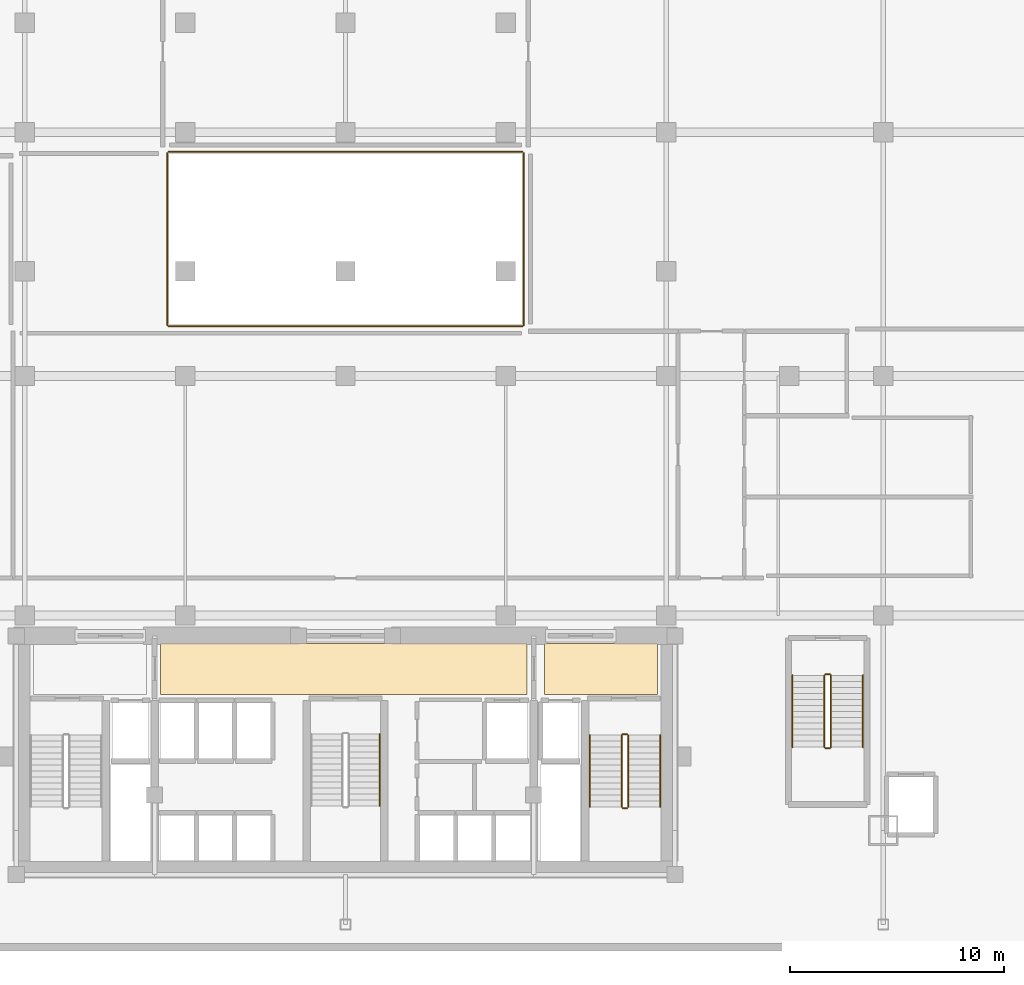
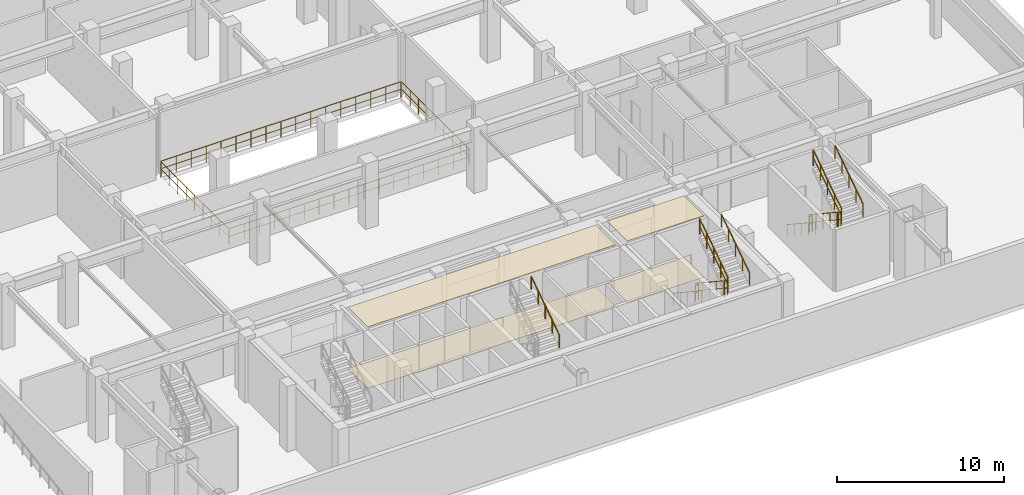
# One storey, part 16 of 16: 17 railings, 4 coverings.
"""IFC4 building model written with IfcOpenShell, lengths in metres."""

from ifc_helpers import new_model, si_unit, direction, frame, origin, origin_2d, place, context, subcontext, project, spatial, polyline, circle, outline, extrude, material, layer, layer_set, type_object, element, save


model = new_model("IFC4")

# Units and contexts
model_context = context("Model", 3, precision=1e-05, world=origin(), true_north=direction((0.0, 1.0)))
body_context = subcontext(model_context, "Body", "Model", "MODEL_VIEW")
ifc_project = project(units=[si_unit("LENGTHUNIT", "METRE"), si_unit("AREAUNIT", "SQUARE_METRE"), si_unit("VOLUMEUNIT", "CUBIC_METRE"), si_unit("PLANEANGLEUNIT", "RADIAN"), si_unit("MASSUNIT", "GRAM", prefix="KILO")], contexts=[model_context])

# Site, building, storey
site_placement = place(None, origin())
site = spatial("IfcSite", under=ifc_project, at=site_placement, CompositionType="ELEMENT")
building_placement = place(site_placement, origin())
building = spatial("IfcBuilding", under=site, at=building_placement, Name="Ventersveld Concourse Tower", CompositionType="ELEMENT")
storey_placement = place(building_placement, frame((0.0, 0.0, 10.199951171875)))
storey = spatial("IfcBuildingStorey", under=building, at=storey_placement, Name="L02", CompositionType="ELEMENT", Elevation=10.199951171875)

# Coverings
ifc_material_1 = material(Name="Mineral-fibre acoustic ceiling tile", Category="gypsum")
ifc_layer_1 = layer(ifc_material_1, 0.0400390625)
ifc_layer_set_1 = layer_set([ifc_layer_1], Name="Mineral-fibre acoustic ceiling tile")
covering_type_1 = type_object("IfcCoveringType", Name="COV-CEIL-ACOUSTIC", PredefinedType="CEILING", material=ifc_layer_set_1)
covering_1_placement = place(storey_placement, frame((0.0, 0.0, 4.47998046875)))
element("IfcCovering", 1, at=covering_1_placement, inside=storey, type_object=covering_type_1, Name="L02 North Lift Lobby Acoustic Ceiling", PredefinedType="CEILING", context=body_context, shape_type="SweptSolid", body=[
    extrude(outline(polyline([(20.10009765625, 8.699951171875), (37.25, 8.699951171875), (37.25, 11.10009765625), (20.10009765625, 11.10009765625), (20.10009765625, 8.699951171875)])), origin(), (0.0, 0.0, 1.0), 0.0400390625),
])
covering_2_placement = place(storey_placement, frame((0.0, 0.0, 4.47998046875)))
element("IfcCovering", 2, at=covering_2_placement, inside=storey, type_object=covering_type_1, Name="L02 East Firefighting Lobby Acoustic Ceiling", PredefinedType="CEILING", context=body_context, shape_type="SweptSolid", body=[
    extrude(outline(polyline([(38.050048828125, 8.699951171875), (43.35009765625, 8.699951171875), (43.35009765625, 11.10009765625), (38.050048828125, 11.10009765625), (38.050048828125, 8.699951171875)])), origin(), (0.0, 0.0, 1.0), 0.0400390625),
])
ifc_material_2 = material(Name="Polished Highveld granite terrazzo", Category="masonry")
ifc_layer_2 = layer(ifc_material_2, 0.02001953125)
ifc_layer_set_2 = layer_set([ifc_layer_2], Name="Polished Highveld granite terrazzo")
covering_type_2 = type_object("IfcCoveringType", Name="COV-FLOOR-TERRAZZO", PredefinedType="FLOORING", material=ifc_layer_set_2)
covering_3_placement = place(storey_placement, origin())
element("IfcCovering", 3, at=covering_3_placement, inside=storey, type_object=covering_type_2, Name="L02 North Lift Lobby Terrazzo Flooring", PredefinedType="FLOORING", context=body_context, shape_type="SweptSolid", body=[
    extrude(outline(polyline([(20.10009765625, 8.699951171875), (37.25, 8.699951171875), (37.25, 11.10009765625), (20.10009765625, 11.10009765625), (20.10009765625, 8.699951171875)])), origin(), (0.0, 0.0, 1.0), 0.02001953125),
])
covering_4_placement = place(storey_placement, origin())
element("IfcCovering", 4, at=covering_4_placement, inside=storey, type_object=covering_type_2, Name="L02 East Firefighting Lobby Terrazzo Flooring", PredefinedType="FLOORING", context=body_context, shape_type="SweptSolid", body=[
    extrude(outline(polyline([(38.050048828125, 8.699951171875), (43.35009765625, 8.699951171875), (43.35009765625, 11.10009765625), (38.050048828125, 11.10009765625), (38.050048828125, 8.699951171875)])), origin(), (0.0, 0.0, 1.0), 0.02001953125),
])

# Railings
ifc_material_3 = material(Name="Brushed stainless steel 316", Category="steel")
railing_type_1 = type_object("IfcRailingType", Name="GD-BAL-115", PredefinedType="GUARDRAIL", material=ifc_material_3)
railing_1_placement = place(storey_placement, frame((41.669921875, 6.800048828125, 0.1845703125)))
element("IfcRailing", 5, at=railing_1_placement, inside=storey, type_object=railing_type_1, Name="L02 ST-02 stair guard 1", PredefinedType="GUARDRAIL", context=body_context, shape_type="SweptSolid", body=[
    extrude(circle(Radius=0.02392578125, at=origin_2d()), frame((0.0, 0.0, 1.1259765625), z_axis=(0.0, -0.834848600103, 0.550479622607), x_axis=(1.0, 0.0, 0.0)), (0.0, 0.0, 1.0), 4.02490234375),
    extrude(circle(Radius=0.01611328125, at=origin_2d()), frame((0.0, 0.0, 0.574951171875), z_axis=(0.0, -0.834848600103, 0.550479622607), x_axis=(1.0, 0.0, 0.0)), (0.0, 0.0, 1.0), 4.02490234375),
    extrude(circle(Radius=0.02099609375, at=origin_2d()), origin(), (0.0, 0.0, 1.0), 1.101806640625),
    extrude(circle(Radius=0.02099609375, at=origin_2d()), frame((0.0, -0.840087890625, 0.553955078125)), (0.0, 0.0, 1.0), 1.101806640625),
    extrude(circle(Radius=0.02099609375, at=origin_2d()), frame((0.0, -1.68017578125, 1.10791015625)), (0.0, 0.0, 1.0), 1.101806640625),
    extrude(circle(Radius=0.02099609375, at=origin_2d()), frame((0.0, -2.52001953125, 1.66162109375)), (0.0, 0.0, 1.0), 1.101806640625),
    extrude(circle(Radius=0.02099609375, at=origin_2d()), frame((0.0, -3.360107421875, 2.215576171875)), (0.0, 0.0, 1.0), 1.101806640625),
])
railing_2_placement = place(storey_placement, frame((41.719970703125, 3.389892578125, 2.400146484375)))
element("IfcRailing", 6, at=railing_2_placement, inside=storey, type_object=railing_type_1, Name="L02 ST-02 stair guard 2", PredefinedType="GUARDRAIL", context=body_context, shape_type="SweptSolid", body=[
    extrude(circle(Radius=0.02392578125, at=origin_2d()), frame((0.0, 0.0, 1.1259765625), z_axis=(1.0, 0.0, 0.0), x_axis=(0.0, 1.0, 0.0)), (0.0, 0.0, 1.0), 0.199951171875),
    extrude(circle(Radius=0.01611328125, at=origin_2d()), frame((0.0, 0.0, 0.574951171875), z_axis=(1.0, 0.0, 0.0), x_axis=(0.0, 1.0, 0.0)), (0.0, 0.0, 1.0), 0.199951171875),
    extrude(circle(Radius=0.02099609375, at=origin_2d()), origin(), (0.0, 0.0, 1.0), 1.101806640625),
    extrude(circle(Radius=0.02099609375, at=origin_2d()), frame((0.199951171875, 0.0, 0.0)), (0.0, 0.0, 1.0), 1.101806640625),
])
railing_3_placement = place(storey_placement, frame((41.969970703125, 3.43994140625, 2.584716796875)))
element("IfcRailing", 7, at=railing_3_placement, inside=storey, type_object=railing_type_1, Name="L02 ST-02 stair guard 3", PredefinedType="GUARDRAIL", context=body_context, shape_type="SweptSolid", body=[
    extrude(circle(Radius=0.02392578125, at=origin_2d()), frame((0.0, 0.0, 1.1259765625), z_axis=(0.0, 0.834876476806, 0.550437342915), x_axis=(-1.0, 0.0, 0.0)), (0.0, 0.0, 1.0), 4.024658203125),
    extrude(circle(Radius=0.01611328125, at=origin_2d()), frame((0.0, 0.0, 0.574951171875), z_axis=(0.0, 0.834876476806, 0.550437342915), x_axis=(-1.0, 0.0, 0.0)), (0.0, 0.0, 1.0), 4.024658203125),
    extrude(circle(Radius=0.02099609375, at=origin_2d()), origin(), (0.0, 0.0, 1.0), 1.101806640625),
    extrude(circle(Radius=0.02099609375, at=origin_2d()), frame((0.0, 0.840087890625, 0.5537109375)), (0.0, 0.0, 1.0), 1.101806640625),
    extrude(circle(Radius=0.02099609375, at=origin_2d()), frame((0.0, 1.68017578125, 1.107666015625)), (0.0, 0.0, 1.0), 1.101806640625),
    extrude(circle(Radius=0.02099609375, at=origin_2d()), frame((0.0, 2.52001953125, 1.66162109375)), (0.0, 0.0, 1.0), 1.101806640625),
    extrude(circle(Radius=0.02099609375, at=origin_2d()), frame((0.0, 3.360107421875, 2.21533203125)), (0.0, 0.0, 1.0), 1.101806640625),
])
railing_4_placement = place(storey_placement, frame((41.719970703125, 6.85009765625, 0.0)))
element("IfcRailing", 8, at=railing_4_placement, inside=storey, type_object=railing_type_1, Name="L02 ST-02 stair guard 4", PredefinedType="GUARDRAIL", context=body_context, shape_type="SweptSolid", body=[
    extrude(circle(Radius=0.02392578125, at=origin_2d()), frame((0.0, 0.0, 1.1259765625), z_axis=(1.0, 0.0, 0.0), x_axis=(0.0, 1.0, 0.0)), (0.0, 0.0, 1.0), 0.199951171875),
    extrude(circle(Radius=0.01611328125, at=origin_2d()), frame((0.0, 0.0, 0.574951171875), z_axis=(1.0, 0.0, 0.0), x_axis=(0.0, 1.0, 0.0)), (0.0, 0.0, 1.0), 0.199951171875),
    extrude(circle(Radius=0.02099609375, at=origin_2d()), origin(), (0.0, 0.0, 1.0), 1.101806640625),
    extrude(circle(Radius=0.02099609375, at=origin_2d()), frame((0.199951171875, 0.0, 0.0)), (0.0, 0.0, 1.0), 1.101806640625),
])
railing_5_placement = place(storey_placement, frame((51.14990234375, 9.60009765625, 0.1845703125)))
element("IfcRailing", 9, at=railing_5_placement, inside=storey, type_object=railing_type_1, Name="L02 ST-05 stair guard 1", PredefinedType="GUARDRAIL", context=body_context, shape_type="SweptSolid", body=[
    extrude(circle(Radius=0.02392578125, at=origin_2d()), frame((0.0, 0.0, 1.1259765625), z_axis=(0.0, -0.834848600103, 0.550479622607), x_axis=(1.0, 0.0, 0.0)), (0.0, 0.0, 1.0), 4.02490234375),
    extrude(circle(Radius=0.01611328125, at=origin_2d()), frame((0.0, 0.0, 0.574951171875), z_axis=(0.0, -0.834848600103, 0.550479622607), x_axis=(1.0, 0.0, 0.0)), (0.0, 0.0, 1.0), 4.02490234375),
    extrude(circle(Radius=0.02099609375, at=origin_2d()), origin(), (0.0, 0.0, 1.0), 1.101806640625),
    extrude(circle(Radius=0.02099609375, at=origin_2d()), frame((0.0, -0.840087890625, 0.553955078125)), (0.0, 0.0, 1.0), 1.101806640625),
    extrude(circle(Radius=0.02099609375, at=origin_2d()), frame((0.0, -1.68017578125, 1.10791015625)), (0.0, 0.0, 1.0), 1.101806640625),
    extrude(circle(Radius=0.02099609375, at=origin_2d()), frame((0.0, -2.52001953125, 1.66162109375)), (0.0, 0.0, 1.0), 1.101806640625),
    extrude(circle(Radius=0.02099609375, at=origin_2d()), frame((0.0, -3.360107421875, 2.215576171875)), (0.0, 0.0, 1.0), 1.101806640625),
])
railing_6_placement = place(storey_placement, frame((51.199951171875, 6.18994140625, 2.400146484375)))
element("IfcRailing", 10, at=railing_6_placement, inside=storey, type_object=railing_type_1, Name="L02 ST-05 stair guard 2", PredefinedType="GUARDRAIL", context=body_context, shape_type="SweptSolid", body=[
    extrude(circle(Radius=0.02392578125, at=origin_2d()), frame((0.0, 0.0, 1.1259765625), z_axis=(1.0, 0.0, 0.0), x_axis=(0.0, 1.0, 0.0)), (0.0, 0.0, 1.0), 0.199951171875),
    extrude(circle(Radius=0.01611328125, at=origin_2d()), frame((0.0, 0.0, 0.574951171875), z_axis=(1.0, 0.0, 0.0), x_axis=(0.0, 1.0, 0.0)), (0.0, 0.0, 1.0), 0.199951171875),
    extrude(circle(Radius=0.02099609375, at=origin_2d()), origin(), (0.0, 0.0, 1.0), 1.101806640625),
    extrude(circle(Radius=0.02099609375, at=origin_2d()), frame((0.199951171875, 0.0, 0.0)), (0.0, 0.0, 1.0), 1.101806640625),
])
railing_7_placement = place(storey_placement, frame((51.449951171875, 6.239990234375, 2.584716796875)))
element("IfcRailing", 11, at=railing_7_placement, inside=storey, type_object=railing_type_1, Name="L02 ST-05 stair guard 3", PredefinedType="GUARDRAIL", context=body_context, shape_type="SweptSolid", body=[
    extrude(circle(Radius=0.02392578125, at=origin_2d()), frame((0.0, 0.0, 1.1259765625), z_axis=(0.0, 0.834876476806, 0.550437342915), x_axis=(-1.0, 0.0, 0.0)), (0.0, 0.0, 1.0), 4.024658203125),
    extrude(circle(Radius=0.01611328125, at=origin_2d()), frame((0.0, 0.0, 0.574951171875), z_axis=(0.0, 0.834876476806, 0.550437342915), x_axis=(-1.0, 0.0, 0.0)), (0.0, 0.0, 1.0), 4.024658203125),
    extrude(circle(Radius=0.02099609375, at=origin_2d()), origin(), (0.0, 0.0, 1.0), 1.101806640625),
    extrude(circle(Radius=0.02099609375, at=origin_2d()), frame((0.0, 0.840087890625, 0.5537109375)), (0.0, 0.0, 1.0), 1.101806640625),
    extrude(circle(Radius=0.02099609375, at=origin_2d()), frame((0.0, 1.68017578125, 1.107666015625)), (0.0, 0.0, 1.0), 1.101806640625),
    extrude(circle(Radius=0.02099609375, at=origin_2d()), frame((0.0, 2.52001953125, 1.66162109375)), (0.0, 0.0, 1.0), 1.101806640625),
    extrude(circle(Radius=0.02099609375, at=origin_2d()), frame((0.0, 3.360107421875, 2.21533203125)), (0.0, 0.0, 1.0), 1.101806640625),
])
railing_8_placement = place(storey_placement, frame((51.199951171875, 9.64990234375, 0.0)))
element("IfcRailing", 12, at=railing_8_placement, inside=storey, type_object=railing_type_1, Name="L02 ST-05 stair guard 4", PredefinedType="GUARDRAIL", context=body_context, shape_type="SweptSolid", body=[
    extrude(circle(Radius=0.02392578125, at=origin_2d()), frame((0.0, 0.0, 1.1259765625), z_axis=(1.0, 0.0, 0.0), x_axis=(0.0, 1.0, 0.0)), (0.0, 0.0, 1.0), 0.199951171875),
    extrude(circle(Radius=0.01611328125, at=origin_2d()), frame((0.0, 0.0, 0.574951171875), z_axis=(1.0, 0.0, 0.0), x_axis=(0.0, 1.0, 0.0)), (0.0, 0.0, 1.0), 0.199951171875),
    extrude(circle(Radius=0.02099609375, at=origin_2d()), origin(), (0.0, 0.0, 1.0), 1.101806640625),
    extrude(circle(Radius=0.02099609375, at=origin_2d()), frame((0.199951171875, 0.0, 0.0)), (0.0, 0.0, 1.0), 1.101806640625),
])
railing_9_placement = place(storey_placement, frame((20.469970703125, 25.919921875, 0.0)))
element("IfcRailing", 13, at=railing_9_placement, inside=storey, type_object=railing_type_1, Name="L02 Podium Concourse Atrium Guardrail S", PredefinedType="GUARDRAIL", context=body_context, shape_type="SweptSolid", body=[
    extrude(circle(Radius=0.02392578125, at=origin_2d()), frame((0.0, 0.0, 1.1259765625), z_axis=(1.0, 0.0, 0.0), x_axis=(0.0, 1.0, 0.0)), (0.0, 0.0, 1.0), 16.56005859375),
    extrude(circle(Radius=0.01611328125, at=origin_2d()), frame((0.0, 0.0, 0.574951171875), z_axis=(1.0, 0.0, 0.0), x_axis=(0.0, 1.0, 0.0)), (0.0, 0.0, 1.0), 16.56005859375),
    extrude(circle(Radius=0.02099609375, at=origin_2d()), origin(), (0.0, 0.0, 1.0), 1.101806640625),
    extrude(circle(Radius=0.02099609375, at=origin_2d()), frame((1.034912109375, 0.0, 0.0)), (0.0, 0.0, 1.0), 1.101806640625),
    extrude(circle(Radius=0.02099609375, at=origin_2d()), frame((2.070068359375, 0.0, 0.0)), (0.0, 0.0, 1.0), 1.101806640625),
    extrude(circle(Radius=0.02099609375, at=origin_2d()), frame((3.10498046875, 0.0, 0.0)), (0.0, 0.0, 1.0), 1.101806640625),
    extrude(circle(Radius=0.02099609375, at=origin_2d()), frame((4.14013671875, 0.0, 0.0)), (0.0, 0.0, 1.0), 1.101806640625),
    extrude(circle(Radius=0.02099609375, at=origin_2d()), frame((5.175048828125, 0.0, 0.0)), (0.0, 0.0, 1.0), 1.101806640625),
    extrude(circle(Radius=0.02099609375, at=origin_2d()), frame((6.2099609375, 0.0, 0.0)), (0.0, 0.0, 1.0), 1.101806640625),
    extrude(circle(Radius=0.02099609375, at=origin_2d()), frame((7.2451171875, 0.0, 0.0)), (0.0, 0.0, 1.0), 1.101806640625),
    extrude(circle(Radius=0.02099609375, at=origin_2d()), frame((8.280029296875, 0.0, 0.0)), (0.0, 0.0, 1.0), 1.101806640625),
    extrude(circle(Radius=0.02099609375, at=origin_2d()), frame((9.31494140625, 0.0, 0.0)), (0.0, 0.0, 1.0), 1.101806640625),
    extrude(circle(Radius=0.02099609375, at=origin_2d()), frame((10.35009765625, 0.0, 0.0)), (0.0, 0.0, 1.0), 1.101806640625),
    extrude(circle(Radius=0.02099609375, at=origin_2d()), frame((11.385009765625, 0.0, 0.0)), (0.0, 0.0, 1.0), 1.101806640625),
    extrude(circle(Radius=0.02099609375, at=origin_2d()), frame((12.419921875, 0.0, 0.0)), (0.0, 0.0, 1.0), 1.101806640625),
    extrude(circle(Radius=0.02099609375, at=origin_2d()), frame((13.455078125, 0.0, 0.0)), (0.0, 0.0, 1.0), 1.101806640625),
    extrude(circle(Radius=0.02099609375, at=origin_2d()), frame((14.489990234375, 0.0, 0.0)), (0.0, 0.0, 1.0), 1.101806640625),
    extrude(circle(Radius=0.02099609375, at=origin_2d()), frame((15.525146484375, 0.0, 0.0)), (0.0, 0.0, 1.0), 1.101806640625),
    extrude(circle(Radius=0.02099609375, at=origin_2d()), frame((16.56005859375, 0.0, 0.0)), (0.0, 0.0, 1.0), 1.101806640625),
])
railing_10_placement = place(storey_placement, frame((20.469970703125, 34.080078125, 0.0)))
element("IfcRailing", 14, at=railing_10_placement, inside=storey, type_object=railing_type_1, Name="L02 Podium Concourse Atrium Guardrail N", PredefinedType="GUARDRAIL", context=body_context, shape_type="SweptSolid", body=[
    extrude(circle(Radius=0.02392578125, at=origin_2d()), frame((0.0, 0.0, 1.1259765625), z_axis=(1.0, 0.0, 0.0), x_axis=(0.0, 1.0, 0.0)), (0.0, 0.0, 1.0), 16.56005859375),
    extrude(circle(Radius=0.01611328125, at=origin_2d()), frame((0.0, 0.0, 0.574951171875), z_axis=(1.0, 0.0, 0.0), x_axis=(0.0, 1.0, 0.0)), (0.0, 0.0, 1.0), 16.56005859375),
    extrude(circle(Radius=0.02099609375, at=origin_2d()), origin(), (0.0, 0.0, 1.0), 1.101806640625),
    extrude(circle(Radius=0.02099609375, at=origin_2d()), frame((1.034912109375, 0.0, 0.0)), (0.0, 0.0, 1.0), 1.101806640625),
    extrude(circle(Radius=0.02099609375, at=origin_2d()), frame((2.070068359375, 0.0, 0.0)), (0.0, 0.0, 1.0), 1.101806640625),
    extrude(circle(Radius=0.02099609375, at=origin_2d()), frame((3.10498046875, 0.0, 0.0)), (0.0, 0.0, 1.0), 1.101806640625),
    extrude(circle(Radius=0.02099609375, at=origin_2d()), frame((4.14013671875, 0.0, 0.0)), (0.0, 0.0, 1.0), 1.101806640625),
    extrude(circle(Radius=0.02099609375, at=origin_2d()), frame((5.175048828125, 0.0, 0.0)), (0.0, 0.0, 1.0), 1.101806640625),
    extrude(circle(Radius=0.02099609375, at=origin_2d()), frame((6.2099609375, 0.0, 0.0)), (0.0, 0.0, 1.0), 1.101806640625),
    extrude(circle(Radius=0.02099609375, at=origin_2d()), frame((7.2451171875, 0.0, 0.0)), (0.0, 0.0, 1.0), 1.101806640625),
    extrude(circle(Radius=0.02099609375, at=origin_2d()), frame((8.280029296875, 0.0, 0.0)), (0.0, 0.0, 1.0), 1.101806640625),
    extrude(circle(Radius=0.02099609375, at=origin_2d()), frame((9.31494140625, 0.0, 0.0)), (0.0, 0.0, 1.0), 1.101806640625),
    extrude(circle(Radius=0.02099609375, at=origin_2d()), frame((10.35009765625, 0.0, 0.0)), (0.0, 0.0, 1.0), 1.101806640625),
    extrude(circle(Radius=0.02099609375, at=origin_2d()), frame((11.385009765625, 0.0, 0.0)), (0.0, 0.0, 1.0), 1.101806640625),
    extrude(circle(Radius=0.02099609375, at=origin_2d()), frame((12.419921875, 0.0, 0.0)), (0.0, 0.0, 1.0), 1.101806640625),
    extrude(circle(Radius=0.02099609375, at=origin_2d()), frame((13.455078125, 0.0, 0.0)), (0.0, 0.0, 1.0), 1.101806640625),
    extrude(circle(Radius=0.02099609375, at=origin_2d()), frame((14.489990234375, 0.0, 0.0)), (0.0, 0.0, 1.0), 1.101806640625),
    extrude(circle(Radius=0.02099609375, at=origin_2d()), frame((15.525146484375, 0.0, 0.0)), (0.0, 0.0, 1.0), 1.101806640625),
    extrude(circle(Radius=0.02099609375, at=origin_2d()), frame((16.56005859375, 0.0, 0.0)), (0.0, 0.0, 1.0), 1.101806640625),
])
for number, where, name in (
    (15, (20.419921875, 25.969970703125, 0.0), "L02 Podium Concourse Atrium Guardrail W"),
    (16, (37.080078125, 25.969970703125, 0.0), "L02 Podium Concourse Atrium Guardrail E"),
):
    element("IfcRailing", number, at=place(storey_placement, frame(where)), inside=storey, type_object=railing_type_1, Name=name, PredefinedType="GUARDRAIL", context=body_context, shape_type="SweptSolid", body=[
        extrude(circle(Radius=0.02392578125, at=origin_2d()), frame((0.0, 0.0, 1.1259765625), z_axis=(0.0, 1.0, 0.0), x_axis=(-1.0, 0.0, 0.0)), (0.0, 0.0, 1.0), 8.06005859375),
        extrude(circle(Radius=0.01611328125, at=origin_2d()), frame((0.0, 0.0, 0.574951171875), z_axis=(0.0, 1.0, 0.0), x_axis=(-1.0, 0.0, 0.0)), (0.0, 0.0, 1.0), 8.06005859375),
        extrude(circle(Radius=0.02099609375, at=origin_2d()), origin(), (0.0, 0.0, 1.0), 1.101806640625),
        extrude(circle(Radius=0.02099609375, at=origin_2d()), frame((0.0, 1.007568359375, 0.0)), (0.0, 0.0, 1.0), 1.101806640625),
        extrude(circle(Radius=0.02099609375, at=origin_2d()), frame((0.0, 2.01513671875, 0.0)), (0.0, 0.0, 1.0), 1.101806640625),
        extrude(circle(Radius=0.02099609375, at=origin_2d()), frame((0.0, 3.0224609375, 0.0)), (0.0, 0.0, 1.0), 1.101806640625),
        extrude(circle(Radius=0.02099609375, at=origin_2d()), frame((0.0, 4.030029296875, 0.0)), (0.0, 0.0, 1.0), 1.101806640625),
        extrude(circle(Radius=0.02099609375, at=origin_2d()), frame((0.0, 5.03759765625, 0.0)), (0.0, 0.0, 1.0), 1.101806640625),
        extrude(circle(Radius=0.02099609375, at=origin_2d()), frame((0.0, 6.044921875, 0.0)), (0.0, 0.0, 1.0), 1.101806640625),
        extrude(circle(Radius=0.02099609375, at=origin_2d()), frame((0.0, 7.052490234375, 0.0)), (0.0, 0.0, 1.0), 1.101806640625),
        extrude(circle(Radius=0.02099609375, at=origin_2d()), frame((0.0, 8.06005859375, 0.0)), (0.0, 0.0, 1.0), 1.101806640625),
    ])
railing_type_2 = type_object("IfcRailingType", Name="HR-RMP-095", PredefinedType="HANDRAIL", material=ifc_material_3)
railing_11_placement = place(storey_placement, frame((40.169921875, 6.800048828125, 0.1845703125)))
element("IfcRailing", 17, at=railing_11_placement, inside=storey, type_object=railing_type_2, Name="L02 ST-02 stair handrail 1", PredefinedType="HANDRAIL", context=body_context, shape_type="SweptSolid", body=[
    extrude(circle(Radius=0.02392578125, at=origin_2d()), frame((0.0, 0.0, 0.92578125), z_axis=(0.0, -0.834848600103, 0.550479622607), x_axis=(1.0, 0.0, 0.0)), (0.0, 0.0, 1.0), 4.02490234375),
    extrude(circle(Radius=0.02099609375, at=origin_2d()), origin(), (0.0, 0.0, 1.0), 0.90185546875),
    extrude(circle(Radius=0.02099609375, at=origin_2d()), frame((0.0, -0.840087890625, 0.553955078125)), (0.0, 0.0, 1.0), 0.90185546875),
    extrude(circle(Radius=0.02099609375, at=origin_2d()), frame((0.0, -1.68017578125, 1.10791015625)), (0.0, 0.0, 1.0), 0.90185546875),
    extrude(circle(Radius=0.02099609375, at=origin_2d()), frame((0.0, -2.52001953125, 1.66162109375)), (0.0, 0.0, 1.0), 0.90185546875),
    extrude(circle(Radius=0.02099609375, at=origin_2d()), frame((0.0, -3.360107421875, 2.215576171875)), (0.0, 0.0, 1.0), 0.90185546875),
])
for number, where, name in (
    (18, (43.469970703125, 3.43994140625, 2.584716796875), "L02 ST-02 stair handrail 2"),
    (19, (30.35009765625, 3.489990234375, 2.584716796875), "L02 ST-03 stair handrail 2"),
):
    element("IfcRailing", number, at=place(storey_placement, frame(where)), inside=storey, type_object=railing_type_2, Name=name, PredefinedType="HANDRAIL", context=body_context, shape_type="SweptSolid", body=[
        extrude(circle(Radius=0.02392578125, at=origin_2d()), frame((0.0, 0.0, 0.92578125), z_axis=(0.0, 0.834876476806, 0.550437342915), x_axis=(-1.0, 0.0, 0.0)), (0.0, 0.0, 1.0), 4.024658203125),
        extrude(circle(Radius=0.02099609375, at=origin_2d()), origin(), (0.0, 0.0, 1.0), 0.90185546875),
        extrude(circle(Radius=0.02099609375, at=origin_2d()), frame((0.0, 0.840087890625, 0.5537109375)), (0.0, 0.0, 1.0), 0.90185546875),
        extrude(circle(Radius=0.02099609375, at=origin_2d()), frame((0.0, 1.68017578125, 1.107666015625)), (0.0, 0.0, 1.0), 0.90185546875),
        extrude(circle(Radius=0.02099609375, at=origin_2d()), frame((0.0, 2.52001953125, 1.66162109375)), (0.0, 0.0, 1.0), 0.90185546875),
        extrude(circle(Radius=0.02099609375, at=origin_2d()), frame((0.0, 3.360107421875, 2.21533203125)), (0.0, 0.0, 1.0), 0.90185546875),
    ])
railing_12_placement = place(storey_placement, frame((49.64990234375, 9.60009765625, 0.1845703125)))
element("IfcRailing", 20, at=railing_12_placement, inside=storey, type_object=railing_type_2, Name="L02 ST-05 stair handrail 1", PredefinedType="HANDRAIL", context=body_context, shape_type="SweptSolid", body=[
    extrude(circle(Radius=0.02392578125, at=origin_2d()), frame((0.0, 0.0, 0.92578125), z_axis=(0.0, -0.834848600103, 0.550479622607), x_axis=(1.0, 0.0, 0.0)), (0.0, 0.0, 1.0), 4.02490234375),
    extrude(circle(Radius=0.02099609375, at=origin_2d()), origin(), (0.0, 0.0, 1.0), 0.90185546875),
    extrude(circle(Radius=0.02099609375, at=origin_2d()), frame((0.0, -0.840087890625, 0.553955078125)), (0.0, 0.0, 1.0), 0.90185546875),
    extrude(circle(Radius=0.02099609375, at=origin_2d()), frame((0.0, -1.68017578125, 1.10791015625)), (0.0, 0.0, 1.0), 0.90185546875),
    extrude(circle(Radius=0.02099609375, at=origin_2d()), frame((0.0, -2.52001953125, 1.66162109375)), (0.0, 0.0, 1.0), 0.90185546875),
    extrude(circle(Radius=0.02099609375, at=origin_2d()), frame((0.0, -3.360107421875, 2.215576171875)), (0.0, 0.0, 1.0), 0.90185546875),
])
railing_13_placement = place(storey_placement, frame((52.949951171875, 6.239990234375, 2.584716796875)))
element("IfcRailing", 21, at=railing_13_placement, inside=storey, type_object=railing_type_2, Name="L02 ST-05 stair handrail 2", PredefinedType="HANDRAIL", context=body_context, shape_type="SweptSolid", body=[
    extrude(circle(Radius=0.02392578125, at=origin_2d()), frame((0.0, 0.0, 0.92578125), z_axis=(0.0, 0.834876476806, 0.550437342915), x_axis=(-1.0, 0.0, 0.0)), (0.0, 0.0, 1.0), 4.024658203125),
    extrude(circle(Radius=0.02099609375, at=origin_2d()), origin(), (0.0, 0.0, 1.0), 0.90185546875),
    extrude(circle(Radius=0.02099609375, at=origin_2d()), frame((0.0, 0.840087890625, 0.5537109375)), (0.0, 0.0, 1.0), 0.90185546875),
    extrude(circle(Radius=0.02099609375, at=origin_2d()), frame((0.0, 1.68017578125, 1.107666015625)), (0.0, 0.0, 1.0), 0.90185546875),
    extrude(circle(Radius=0.02099609375, at=origin_2d()), frame((0.0, 2.52001953125, 1.66162109375)), (0.0, 0.0, 1.0), 0.90185546875),
    extrude(circle(Radius=0.02099609375, at=origin_2d()), frame((0.0, 3.360107421875, 2.21533203125)), (0.0, 0.0, 1.0), 0.90185546875),
])

save(model, "model.ifc")
